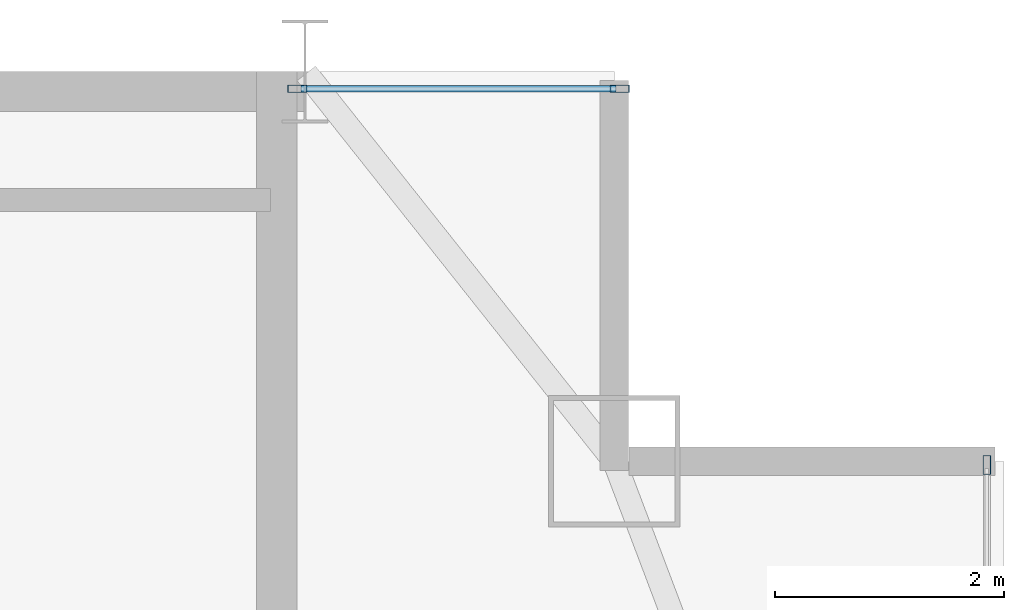
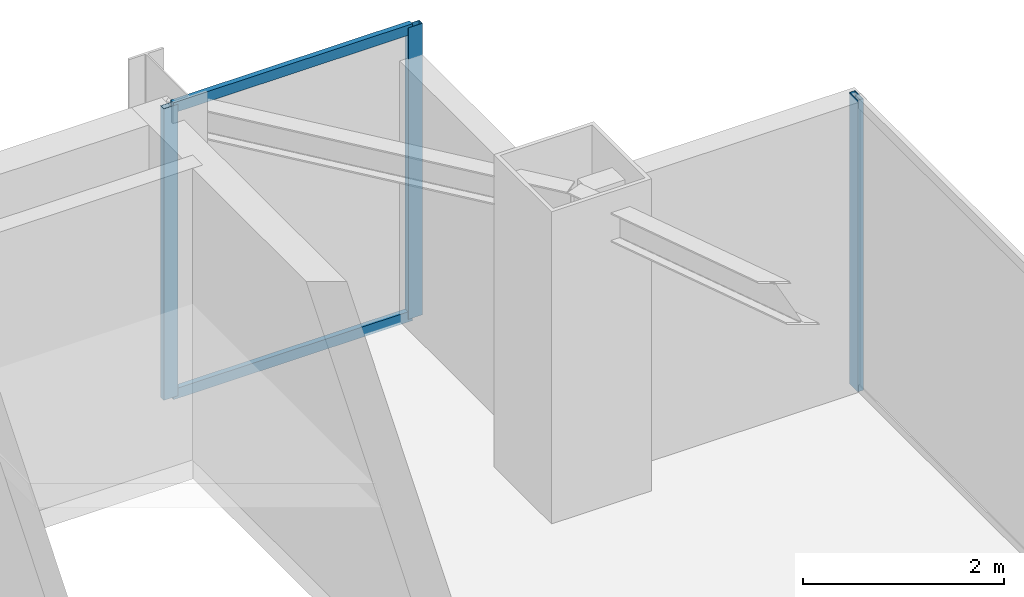
# One storey, part 20 of 27: 5 members, 2 elements without a shape of their own.
"""IFC4 building model written with IfcOpenShell, lengths in metres."""

from ifc_helpers import new_model, si_unit, direction, frame, origin, origin_2d, place, context, subcontext, project, spatial, hollow_rectangle, extrude, source, transform, mapped, material, layer, layer_set, material_profile, profile_set, type_object, type_shapes, element, aggregate, save


model = new_model("IFC4")

# Units and contexts
model_context = context("Model", 3, precision=1e-05, world=origin(), true_north=direction((0.0, 1.0)))
body_context = subcontext(model_context, "Body", "Model", "MODEL_VIEW")
ifc_project = project(units=[si_unit("LENGTHUNIT", "METRE"), si_unit("AREAUNIT", "SQUARE_METRE"), si_unit("VOLUMEUNIT", "CUBIC_METRE"), si_unit("PLANEANGLEUNIT", "RADIAN"), si_unit("MASSUNIT", "GRAM", prefix="KILO")], contexts=[model_context])

# Site, building, storey
site_placement = place(None, origin())
site = spatial("IfcSite", under=ifc_project, at=site_placement, CompositionType="ELEMENT")
building_placement = place(site_placement, origin())
building = spatial("IfcBuilding", under=site, at=building_placement, Name="Varnel Quay Broadcast Tower", CompositionType="ELEMENT")
storey_placement = place(building_placement, frame((0.0, 0.0, 203.60009765625)))
storey = spatial("IfcBuildingStorey", under=building, at=storey_placement, Name="L50", CompositionType="ELEMENT", Elevation=203.60009765625)

# Curtain wall, member
ifc_material = material(Name="Anodised Bronze Aluminium 6063-T6", Category="aluminium")
ifc_layer = layer(ifc_material, 0.18994140625, Name="Anodised Bronze Aluminium 6063-T6")
ifc_layer_set = layer_set([ifc_layer], Name="Anodised Bronze Aluminium 6063-T6")
curtain_wall_type = type_object("IfcCurtainWallType", Name="CW_UpperTower", PredefinedType="NOTDEFINED", material=ifc_layer_set)
curtain_wall_1_placement = place(storey_placement, origin())
curtain_wall_1 = element("IfcCurtainWall", 1, at=curtain_wall_1_placement, inside=storey, type_object=curtain_wall_type, Name="L50 East Unitised Curtain Wall", PredefinedType="NOTDEFINED")
ifc_material_profile_1 = material_profile(ifc_material, hollow_rectangle(XDim=0.06494140625, YDim=0.1650390625, WallThickness=0.00341796875, at=origin_2d()), Name="ALU65X165X3.5")
ifc_profile_set_1 = profile_set([ifc_material_profile_1], Name="Anodised Bronze Aluminium 6063-T6")
member_type_1 = type_object("IfcMemberType", Name="Mull_CWS-03", PredefinedType="MULLION", material=ifc_profile_set_1)
shared_shape_1 = source(origin(), body_context, "Body", "SweptSolid", [
    extrude(hollow_rectangle(XDim=0.06494140625, YDim=0.1650390625, WallThickness=0.00341796875, at=origin_2d()), origin(), (0.0, 0.0, 1.0), 3.5498046875),
])
type_shapes(member_type_1, [shared_shape_1])
member_1_placement = place(storey_placement, frame((58.35009765625, 43.367431640625, 0.0), z_axis=(0.0, 0.0, 1.0), x_axis=(-1.0, 0.0, 0.0)))
member_1 = element("IfcMember", 2, at=member_1_placement, type_object=member_type_1, Name="CWS-03 mullion 3", PredefinedType="MULLION", context=body_context, shape_type="MappedRepresentation", body=[
    mapped(shared_shape_1, transform((0.0, 0.0, 0.0), x_axis=(1.0, 0.0, 0.0), y_axis=(0.0, 1.0, 0.0), z_axis=(0.0, 0.0, 1.0), scale=1.0)),
])
aggregate(curtain_wall_1, [member_1])

# Curtain wall, members
curtain_wall_2_placement = place(storey_placement, origin())
curtain_wall_2 = element("IfcCurtainWall", 3, at=curtain_wall_2_placement, inside=storey, type_object=curtain_wall_type, Name="L50 NE Wing Curtain Wall", PredefinedType="NOTDEFINED")
member_2_placement = place(storey_placement, frame((52.33251953125, 46.64990234375, 0.0), z_axis=(0.0, 0.0, 1.0), x_axis=(0.0, 1.0, 0.0)))
member_2 = element("IfcMember", 4, at=member_2_placement, type_object=member_type_1, Name="CWS-03 mullion 1", PredefinedType="MULLION", context=body_context, shape_type="MappedRepresentation", body=[
    mapped(shared_shape_1, transform((0.0, 0.0, 0.0), x_axis=(1.0, 0.0, 0.0), y_axis=(0.0, 1.0, 0.0), z_axis=(0.0, 0.0, 1.0), scale=1.0)),
])
member_3_placement = place(storey_placement, frame((55.1474609375, 46.64990234375, 0.0), z_axis=(0.0, 0.0, 1.0), x_axis=(0.0, 1.0, 0.0)))
member_3 = element("IfcMember", 5, at=member_3_placement, type_object=member_type_1, Name="CWS-03 mullion 2", PredefinedType="MULLION", context=body_context, shape_type="MappedRepresentation", body=[
    mapped(shared_shape_1, transform((0.0, 0.0, 0.0), x_axis=(1.0, 0.0, 0.0), y_axis=(0.0, 1.0, 0.0), z_axis=(0.0, 0.0, 1.0), scale=1.0)),
])
ifc_material_profile_2 = material_profile(ifc_material, hollow_rectangle(XDim=0.06005859375, YDim=0.125, WallThickness=0.0029296875, at=origin_2d()), Name="ALU60X125X3")
ifc_profile_set_2 = profile_set([ifc_material_profile_2], Name="Anodised Bronze Aluminium 6063-T6")
member_type_2 = type_object("IfcMemberType", Name="Tran_CWS-03", PredefinedType="USERDEFINED", material=ifc_profile_set_2)
shared_shape_2 = source(origin(), body_context, "Body", "SweptSolid", [
    extrude(hollow_rectangle(XDim=0.06005859375, YDim=0.125, WallThickness=0.0029296875, at=origin_2d()), origin(), (0.0, 0.0, 1.0), 2.75),
])
type_shapes(member_type_2, [shared_shape_2])
member_4_placement = place(storey_placement, frame((52.364990234375, 46.64990234375, 0.02978515625), z_axis=(1.0, 0.0, 0.0), x_axis=(0.0, 1.0, 0.0)))
member_4 = element("IfcMember", 6, at=member_4_placement, type_object=member_type_2, Name="CWS-03 transom 1.1", ObjectType="TRANSOM", PredefinedType="USERDEFINED", context=body_context, shape_type="MappedRepresentation", body=[
    mapped(shared_shape_2, transform((0.0, 0.0, 0.0), x_axis=(1.0, 0.0, 0.0), y_axis=(0.0, 1.0, 0.0), z_axis=(0.0, 0.0, 1.0), scale=1.0)),
])
member_5_placement = place(storey_placement, frame((52.364990234375, 46.64990234375, 3.52001953125), z_axis=(1.0, 0.0, 0.0), x_axis=(0.0, 1.0, 0.0)))
member_5 = element("IfcMember", 7, at=member_5_placement, type_object=member_type_2, Name="CWS-03 transom 1.2", ObjectType="TRANSOM", PredefinedType="USERDEFINED", context=body_context, shape_type="MappedRepresentation", body=[
    mapped(shared_shape_2, transform((0.0, 0.0, 0.0), x_axis=(1.0, 0.0, 0.0), y_axis=(0.0, 1.0, 0.0), z_axis=(0.0, 0.0, 1.0), scale=1.0)),
])
aggregate(curtain_wall_2, [member_2, member_3, member_4, member_5])

save(model, "model.ifc")
